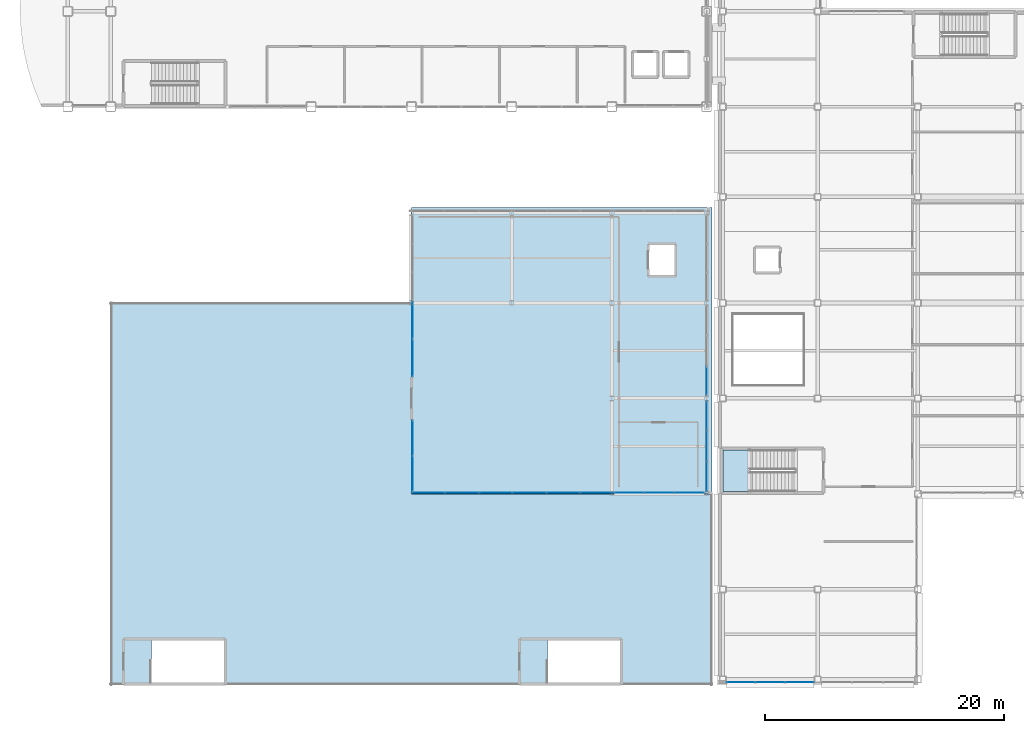
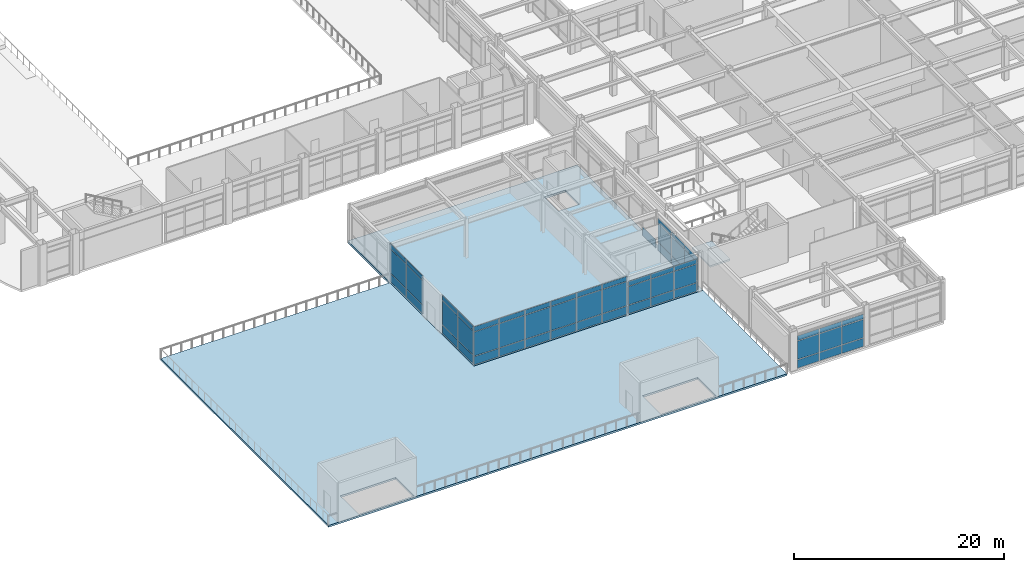
# One storey, part 114 of 154: 58 plates, 3 slabs, 8 elements without a shape of their own.
"""IFC4 building model written with IfcOpenShell, lengths in metres."""

from ifc_helpers import new_model, si_unit, direction, frame, origin, origin_2d, place, context, subcontext, project, spatial, polyline, rectangle, outline, extrude, material, layer, layer_set, type_object, element, aggregate, save


model = new_model("IFC4")

# Units and contexts
model_context = context("Model", 3, precision=1e-05, world=origin(), true_north=direction((0.0, 1.0)))
body_context = subcontext(model_context, "Body", "Model", "MODEL_VIEW")
ifc_project = project(units=[si_unit("LENGTHUNIT", "METRE"), si_unit("AREAUNIT", "SQUARE_METRE"), si_unit("VOLUMEUNIT", "CUBIC_METRE"), si_unit("PLANEANGLEUNIT", "RADIAN"), si_unit("MASSUNIT", "GRAM", prefix="KILO")], contexts=[model_context])

# Site, building, storey
site_placement = place(None, origin())
site = spatial("IfcSite", under=ifc_project, at=site_placement, CompositionType="ELEMENT")
building_placement = place(site_placement, origin())
building = spatial("IfcBuilding", under=site, at=building_placement, Name="Kazehara Bluff Congress Hotel", CompositionType="ELEMENT")
storey_placement = place(building_placement, frame((0.0, 0.0, 10.199951171875)))
storey = spatial("IfcBuildingStorey", under=building, at=storey_placement, Name="L02", CompositionType="ELEMENT", Elevation=10.199951171875)

# Curtain wall, plates
ifc_material_1 = material(Name="Anodised aluminium", Category="aluminium")
ifc_layer_1 = layer(ifc_material_1, 0.159912109375)
ifc_layer_set_1 = layer_set([ifc_layer_1], Name="Anodised aluminium")
curtain_wall_type_1 = type_object("IfcCurtainWallType", Name="TP-CW-22", PredefinedType="NOTDEFINED", material=ifc_layer_set_1)
curtain_wall_1_placement = place(storey_placement, origin())
curtain_wall_1 = element("IfcCurtainWall", 1, at=curtain_wall_1_placement, inside=storey, type_object=curtain_wall_type_1, Name="L02 curtain wall CW-22 CW-V2-L02-X5835-1618", PredefinedType="NOTDEFINED")
ifc_material_2 = material(Name="Insulated low-E double glazing", Category="glass")
ifc_layer_2 = layer(ifc_material_2, 0.028076171875)
ifc_layer_set_2 = layer_set([ifc_layer_2], Name="Insulated low-E double glazing")
plate_type_1 = type_object("IfcPlateType", Name="TP-CWP-01", PredefinedType="CURTAIN_PANEL", material=ifc_layer_set_2)
plate_1_placement = place(storey_placement, frame((58.35009765625, 17.46630859375, 0.06494140625), z_axis=(0.0, 0.0, 1.0), x_axis=(0.0, 1.0, 0.0)))
plate_1 = element("IfcPlate", 2, at=plate_1_placement, type_object=plate_type_1, Name="CW-22 panel 1.1", PredefinedType="CURTAIN_PANEL", context=body_context, shape_type="SweptSolid", body=[
    extrude(rectangle(XDim=2.452392578125, YDim=0.028076171875, at=origin_2d()), origin(), (0.0, 0.0, 1.0), 0.952392578125),
])
plate_2_placement = place(storey_placement, frame((58.35009765625, 17.46630859375, 1.08251953125), z_axis=(0.0, 0.0, 1.0), x_axis=(0.0, 1.0, 0.0)))
plate_2 = element("IfcPlate", 3, at=plate_2_placement, type_object=plate_type_1, Name="CW-22 panel 1.2", PredefinedType="CURTAIN_PANEL", context=body_context, shape_type="SweptSolid", body=[
    extrude(rectangle(XDim=2.452392578125, YDim=0.028076171875, at=origin_2d()), origin(), (0.0, 0.0, 1.0), 2.1201171875),
])
plate_3_placement = place(storey_placement, frame((58.35009765625, 17.46630859375, 3.267578125), z_axis=(0.0, 0.0, 1.0), x_axis=(0.0, 1.0, 0.0)))
plate_3 = element("IfcPlate", 4, at=plate_3_placement, type_object=plate_type_1, Name="CW-22 panel 1.3", PredefinedType="CURTAIN_PANEL", context=body_context, shape_type="SweptSolid", body=[
    extrude(rectangle(XDim=2.452392578125, YDim=0.028076171875, at=origin_2d()), origin(), (0.0, 0.0, 1.0), 0.552490234375),
])
plate_4_placement = place(storey_placement, frame((58.35009765625, 20.0, 0.06494140625), z_axis=(0.0, 0.0, 1.0), x_axis=(0.0, 1.0, 0.0)))
plate_4 = element("IfcPlate", 5, at=plate_4_placement, type_object=plate_type_1, Name="CW-22 panel 2.1", PredefinedType="CURTAIN_PANEL", context=body_context, shape_type="SweptSolid", body=[
    extrude(rectangle(XDim=2.485107421875, YDim=0.028076171875, at=origin_2d()), origin(), (0.0, 0.0, 1.0), 0.952392578125),
])
plate_5_placement = place(storey_placement, frame((58.35009765625, 20.0, 1.08251953125), z_axis=(0.0, 0.0, 1.0), x_axis=(0.0, 1.0, 0.0)))
plate_5 = element("IfcPlate", 6, at=plate_5_placement, type_object=plate_type_1, Name="CW-22 panel 2.2", PredefinedType="CURTAIN_PANEL", context=body_context, shape_type="SweptSolid", body=[
    extrude(rectangle(XDim=2.485107421875, YDim=0.028076171875, at=origin_2d()), origin(), (0.0, 0.0, 1.0), 2.1201171875),
])
plate_6_placement = place(storey_placement, frame((58.35009765625, 20.0, 3.267578125), z_axis=(0.0, 0.0, 1.0), x_axis=(0.0, 1.0, 0.0)))
plate_6 = element("IfcPlate", 7, at=plate_6_placement, type_object=plate_type_1, Name="CW-22 panel 2.3", PredefinedType="CURTAIN_PANEL", context=body_context, shape_type="SweptSolid", body=[
    extrude(rectangle(XDim=2.485107421875, YDim=0.028076171875, at=origin_2d()), origin(), (0.0, 0.0, 1.0), 0.552490234375),
])
plate_7_placement = place(storey_placement, frame((58.35009765625, 22.53369140625, 0.06494140625), z_axis=(0.0, 0.0, 1.0), x_axis=(0.0, 1.0, 0.0)))
plate_7 = element("IfcPlate", 8, at=plate_7_placement, type_object=plate_type_1, Name="CW-22 panel 3.1", PredefinedType="CURTAIN_PANEL", context=body_context, shape_type="SweptSolid", body=[
    extrude(rectangle(XDim=2.452392578125, YDim=0.028076171875, at=origin_2d()), origin(), (0.0, 0.0, 1.0), 0.952392578125),
])
plate_8_placement = place(storey_placement, frame((58.35009765625, 22.53369140625, 1.08251953125), z_axis=(0.0, 0.0, 1.0), x_axis=(0.0, 1.0, 0.0)))
plate_8 = element("IfcPlate", 9, at=plate_8_placement, type_object=plate_type_1, Name="CW-22 panel 3.2", PredefinedType="CURTAIN_PANEL", context=body_context, shape_type="SweptSolid", body=[
    extrude(rectangle(XDim=2.452392578125, YDim=0.028076171875, at=origin_2d()), origin(), (0.0, 0.0, 1.0), 2.1201171875),
])
plate_9_placement = place(storey_placement, frame((58.35009765625, 22.53369140625, 3.267578125), z_axis=(0.0, 0.0, 1.0), x_axis=(0.0, 1.0, 0.0)))
plate_9 = element("IfcPlate", 10, at=plate_9_placement, type_object=plate_type_1, Name="CW-22 panel 3.3", PredefinedType="CURTAIN_PANEL", context=body_context, shape_type="SweptSolid", body=[
    extrude(rectangle(XDim=2.452392578125, YDim=0.028076171875, at=origin_2d()), origin(), (0.0, 0.0, 1.0), 0.552490234375),
])
aggregate(curtain_wall_1, [plate_1, plate_2, plate_3, plate_4, plate_5, plate_6, plate_7, plate_8, plate_9])

# Curtain wall, plate
curtain_wall_2_placement = place(storey_placement, origin())
curtain_wall_2 = element("IfcCurtainWall", 11, at=curtain_wall_2_placement, inside=storey, type_object=curtain_wall_type_1, Name="L02 curtain wall CW-22 CW-V2-L02-X5835-2418", PredefinedType="NOTDEFINED")
plate_10_placement = place(storey_placement, frame((58.35009765625, 25.46630859375, 0.06494140625), z_axis=(0.0, 0.0, 1.0), x_axis=(0.0, 1.0, 0.0)))
plate_10 = element("IfcPlate", 12, at=plate_10_placement, type_object=plate_type_1, Name="CW-22 panel 1.1", PredefinedType="CURTAIN_PANEL", context=body_context, shape_type="SweptSolid", body=[
    extrude(rectangle(XDim=2.452392578125, YDim=0.028076171875, at=origin_2d()), origin(), (0.0, 0.0, 1.0), 0.952392578125),
])
aggregate(curtain_wall_2, [plate_10])

# Curtain wall, plates
ifc_material_3 = material(Name="Anodised aluminium", Category="aluminium")
ifc_layer_3 = layer(ifc_material_3, 0.159912109375)
ifc_layer_set_3 = layer_set([ifc_layer_3], Name="Anodised aluminium")
curtain_wall_type_2 = type_object("IfcCurtainWallType", Name="TP-CW-129", PredefinedType="NOTDEFINED", material=ifc_layer_set_3)
curtain_wall_3_placement = place(storey_placement, origin())
curtain_wall_3 = element("IfcCurtainWall", 13, at=curtain_wall_3_placement, inside=storey, type_object=curtain_wall_type_2, Name="L02 curtain wall CW-129 CW-ENC-V2-L02-5438-1610", PredefinedType="NOTDEFINED")
plate_11_placement = place(storey_placement, frame((56.89208984375, 16.10009765625, 0.06494140625), z_axis=(0.0, 0.0, 1.0), x_axis=(-1.0, 0.0, 0.0)))
plate_11 = element("IfcPlate", 14, at=plate_11_placement, type_object=plate_type_1, Name="CW-129 panel 1.1", PredefinedType="CURTAIN_PANEL", context=body_context, shape_type="SweptSolid", body=[
    extrude(rectangle(XDim=2.435791015625, YDim=0.028076171875, at=origin_2d()), origin(), (0.0, 0.0, 1.0), 0.952392578125),
])
plate_12_placement = place(storey_placement, frame((56.89208984375, 16.10009765625, 1.08251953125), z_axis=(0.0, 0.0, 1.0), x_axis=(-1.0, 0.0, 0.0)))
plate_12 = element("IfcPlate", 15, at=plate_12_placement, type_object=plate_type_1, Name="CW-129 panel 1.2", PredefinedType="CURTAIN_PANEL", context=body_context, shape_type="SweptSolid", body=[
    extrude(rectangle(XDim=2.435791015625, YDim=0.028076171875, at=origin_2d()), origin(), (0.0, 0.0, 1.0), 2.1201171875),
])
plate_13_placement = place(storey_placement, frame((56.89208984375, 16.10009765625, 3.267578125), z_axis=(0.0, 0.0, 1.0), x_axis=(-1.0, 0.0, 0.0)))
plate_13 = element("IfcPlate", 16, at=plate_13_placement, type_object=plate_type_1, Name="CW-129 panel 1.3", PredefinedType="CURTAIN_PANEL", context=body_context, shape_type="SweptSolid", body=[
    extrude(rectangle(XDim=2.435791015625, YDim=0.028076171875, at=origin_2d()), origin(), (0.0, 0.0, 1.0), 0.552490234375),
])
plate_14_placement = place(storey_placement, frame((54.375, 16.10009765625, 0.06494140625), z_axis=(0.0, 0.0, 1.0), x_axis=(-1.0, 0.0, 0.0)))
plate_14 = element("IfcPlate", 17, at=plate_14_placement, type_object=plate_type_1, Name="CW-129 panel 2.1", PredefinedType="CURTAIN_PANEL", context=body_context, shape_type="SweptSolid", body=[
    extrude(rectangle(XDim=2.46826171875, YDim=0.028076171875, at=origin_2d()), origin(), (0.0, 0.0, 1.0), 0.952392578125),
])
plate_15_placement = place(storey_placement, frame((54.375, 16.10009765625, 1.08251953125), z_axis=(0.0, 0.0, 1.0), x_axis=(-1.0, 0.0, 0.0)))
plate_15 = element("IfcPlate", 18, at=plate_15_placement, type_object=plate_type_1, Name="CW-129 panel 2.2", PredefinedType="CURTAIN_PANEL", context=body_context, shape_type="SweptSolid", body=[
    extrude(rectangle(XDim=2.46826171875, YDim=0.028076171875, at=origin_2d()), origin(), (0.0, 0.0, 1.0), 2.1201171875),
])
plate_16_placement = place(storey_placement, frame((54.375, 16.10009765625, 3.267578125), z_axis=(0.0, 0.0, 1.0), x_axis=(-1.0, 0.0, 0.0)))
plate_16 = element("IfcPlate", 19, at=plate_16_placement, type_object=plate_type_1, Name="CW-129 panel 2.3", PredefinedType="CURTAIN_PANEL", context=body_context, shape_type="SweptSolid", body=[
    extrude(rectangle(XDim=2.46826171875, YDim=0.028076171875, at=origin_2d()), origin(), (0.0, 0.0, 1.0), 0.552490234375),
])
plate_17_placement = place(storey_placement, frame((51.85791015625, 16.10009765625, 0.06494140625), z_axis=(0.0, 0.0, 1.0), x_axis=(-1.0, 0.0, 0.0)))
plate_17 = element("IfcPlate", 20, at=plate_17_placement, type_object=plate_type_1, Name="CW-129 panel 3.1", PredefinedType="CURTAIN_PANEL", context=body_context, shape_type="SweptSolid", body=[
    extrude(rectangle(XDim=2.435791015625, YDim=0.028076171875, at=origin_2d()), origin(), (0.0, 0.0, 1.0), 0.952392578125),
])
plate_18_placement = place(storey_placement, frame((51.85791015625, 16.10009765625, 1.08251953125), z_axis=(0.0, 0.0, 1.0), x_axis=(-1.0, 0.0, 0.0)))
plate_18 = element("IfcPlate", 21, at=plate_18_placement, type_object=plate_type_1, Name="CW-129 panel 3.2", PredefinedType="CURTAIN_PANEL", context=body_context, shape_type="SweptSolid", body=[
    extrude(rectangle(XDim=2.435791015625, YDim=0.028076171875, at=origin_2d()), origin(), (0.0, 0.0, 1.0), 2.1201171875),
])
plate_19_placement = place(storey_placement, frame((51.85791015625, 16.10009765625, 3.267578125), z_axis=(0.0, 0.0, 1.0), x_axis=(-1.0, 0.0, 0.0)))
plate_19 = element("IfcPlate", 22, at=plate_19_placement, type_object=plate_type_1, Name="CW-129 panel 3.3", PredefinedType="CURTAIN_PANEL", context=body_context, shape_type="SweptSolid", body=[
    extrude(rectangle(XDim=2.435791015625, YDim=0.028076171875, at=origin_2d()), origin(), (0.0, 0.0, 1.0), 0.552490234375),
])
aggregate(curtain_wall_3, [plate_11, plate_12, plate_13, plate_14, plate_15, plate_16, plate_17, plate_18, plate_19])

ifc_material_4 = material(Name="Anodised aluminium", Category="aluminium")
ifc_layer_4 = layer(ifc_material_4, 0.159912109375)
ifc_layer_set_4 = layer_set([ifc_layer_4], Name="Anodised aluminium")
curtain_wall_type_3 = type_object("IfcCurtainWallType", Name="TP-CW-34", PredefinedType="NOTDEFINED", material=ifc_layer_set_4)
curtain_wall_4_placement = place(storey_placement, origin())
curtain_wall_4 = element("IfcCurtainWall", 23, at=curtain_wall_4_placement, inside=storey, type_object=curtain_wall_type_3, Name="L02 curtain wall CW-34 CW-ENC-V4-L02-6368-22", PredefinedType="NOTDEFINED")
plate_20_placement = place(storey_placement, frame((66.12548828125, 0.219970703125, 0.06494140625), z_axis=(0.0, 0.0, 1.0), x_axis=(-1.0, 0.0, 0.0)))
plate_20 = element("IfcPlate", 24, at=plate_20_placement, type_object=plate_type_1, Name="CW-34 panel 1.1", PredefinedType="CURTAIN_PANEL", context=body_context, shape_type="SweptSolid", body=[
    extrude(rectangle(XDim=2.369140625, YDim=0.028076171875, at=origin_2d()), origin(), (0.0, 0.0, 1.0), 0.952392578125),
])
plate_21_placement = place(storey_placement, frame((66.12548828125, 0.219970703125, 1.08251953125), z_axis=(0.0, 0.0, 1.0), x_axis=(-1.0, 0.0, 0.0)))
plate_21 = element("IfcPlate", 25, at=plate_21_placement, type_object=plate_type_1, Name="CW-34 panel 1.2", PredefinedType="CURTAIN_PANEL", context=body_context, shape_type="SweptSolid", body=[
    extrude(rectangle(XDim=2.369140625, YDim=0.028076171875, at=origin_2d()), origin(), (0.0, 0.0, 1.0), 2.1201171875),
])
plate_22_placement = place(storey_placement, frame((66.12548828125, 0.219970703125, 3.267578125), z_axis=(0.0, 0.0, 1.0), x_axis=(-1.0, 0.0, 0.0)))
plate_22 = element("IfcPlate", 26, at=plate_22_placement, type_object=plate_type_1, Name="CW-34 panel 1.3", PredefinedType="CURTAIN_PANEL", context=body_context, shape_type="SweptSolid", body=[
    extrude(rectangle(XDim=2.369140625, YDim=0.028076171875, at=origin_2d()), origin(), (0.0, 0.0, 1.0), 0.552490234375),
])
plate_23_placement = place(storey_placement, frame((63.675048828125, 0.219970703125, 0.06494140625), z_axis=(0.0, 0.0, 1.0), x_axis=(-1.0, 0.0, 0.0)))
plate_23 = element("IfcPlate", 27, at=plate_23_placement, type_object=plate_type_1, Name="CW-34 panel 2.1", PredefinedType="CURTAIN_PANEL", context=body_context, shape_type="SweptSolid", body=[
    extrude(rectangle(XDim=2.401611328125, YDim=0.028076171875, at=origin_2d()), origin(), (0.0, 0.0, 1.0), 0.952392578125),
])
plate_24_placement = place(storey_placement, frame((63.675048828125, 0.219970703125, 1.08251953125), z_axis=(0.0, 0.0, 1.0), x_axis=(-1.0, 0.0, 0.0)))
plate_24 = element("IfcPlate", 28, at=plate_24_placement, type_object=plate_type_1, Name="CW-34 panel 2.2", PredefinedType="CURTAIN_PANEL", context=body_context, shape_type="SweptSolid", body=[
    extrude(rectangle(XDim=2.401611328125, YDim=0.028076171875, at=origin_2d()), origin(), (0.0, 0.0, 1.0), 2.1201171875),
])
plate_25_placement = place(storey_placement, frame((63.675048828125, 0.219970703125, 3.267578125), z_axis=(0.0, 0.0, 1.0), x_axis=(-1.0, 0.0, 0.0)))
plate_25 = element("IfcPlate", 29, at=plate_25_placement, type_object=plate_type_1, Name="CW-34 panel 2.3", PredefinedType="CURTAIN_PANEL", context=body_context, shape_type="SweptSolid", body=[
    extrude(rectangle(XDim=2.401611328125, YDim=0.028076171875, at=origin_2d()), origin(), (0.0, 0.0, 1.0), 0.552490234375),
])
plate_26_placement = place(storey_placement, frame((61.224609375, 0.219970703125, 0.06494140625), z_axis=(0.0, 0.0, 1.0), x_axis=(-1.0, 0.0, 0.0)))
plate_26 = element("IfcPlate", 30, at=plate_26_placement, type_object=plate_type_1, Name="CW-34 panel 3.1", PredefinedType="CURTAIN_PANEL", context=body_context, shape_type="SweptSolid", body=[
    extrude(rectangle(XDim=2.369140625, YDim=0.028076171875, at=origin_2d()), origin(), (0.0, 0.0, 1.0), 0.952392578125),
])
plate_27_placement = place(storey_placement, frame((61.224609375, 0.219970703125, 1.08251953125), z_axis=(0.0, 0.0, 1.0), x_axis=(-1.0, 0.0, 0.0)))
plate_27 = element("IfcPlate", 31, at=plate_27_placement, type_object=plate_type_1, Name="CW-34 panel 3.2", PredefinedType="CURTAIN_PANEL", context=body_context, shape_type="SweptSolid", body=[
    extrude(rectangle(XDim=2.369140625, YDim=0.028076171875, at=origin_2d()), origin(), (0.0, 0.0, 1.0), 2.1201171875),
])
plate_28_placement = place(storey_placement, frame((61.224609375, 0.219970703125, 3.267578125), z_axis=(0.0, 0.0, 1.0), x_axis=(-1.0, 0.0, 0.0)))
plate_28 = element("IfcPlate", 32, at=plate_28_placement, type_object=plate_type_1, Name="CW-34 panel 3.3", PredefinedType="CURTAIN_PANEL", context=body_context, shape_type="SweptSolid", body=[
    extrude(rectangle(XDim=2.369140625, YDim=0.028076171875, at=origin_2d()), origin(), (0.0, 0.0, 1.0), 0.552490234375),
])
aggregate(curtain_wall_4, [plate_20, plate_21, plate_22, plate_23, plate_24, plate_25, plate_26, plate_27, plate_28])

ifc_material_5 = material(Name="Anodised aluminium", Category="aluminium")
ifc_layer_5 = layer(ifc_material_5, 0.159912109375)
ifc_layer_set_5 = layer_set([ifc_layer_5], Name="Anodised aluminium")
curtain_wall_type_4 = type_object("IfcCurtainWallType", Name="TP-CW-128", PredefinedType="NOTDEFINED", material=ifc_layer_set_5)
curtain_wall_5_placement = place(storey_placement, origin())
curtain_wall_5 = element("IfcCurtainWall", 33, at=curtain_wall_5_placement, inside=storey, type_object=curtain_wall_type_4, Name="L02 curtain wall CW-128 CW-ENC-V2-L02-4209-1610", PredefinedType="NOTDEFINED")
ifc_material_6 = material(Name="Insulated low-E double glazing", Category="glass")
ifc_layer_6 = layer(ifc_material_6, 0.031982421875)
ifc_layer_set_6 = layer_set([ifc_layer_6], Name="Insulated low-E double glazing")
plate_type_2 = type_object("IfcPlateType", Name="TP-CWP-02", PredefinedType="CURTAIN_PANEL", material=ifc_layer_set_6)
plate_29_placement = place(storey_placement, frame((49.142822265625, 16.10009765625, 0.06494140625), z_axis=(0.0, 0.0, 1.0), x_axis=(-1.0, 0.0, 0.0)))
plate_29 = element("IfcPlate", 34, at=plate_29_placement, type_object=plate_type_2, Name="CW-128 panel 1.1", PredefinedType="CURTAIN_PANEL", context=body_context, shape_type="SweptSolid", body=[
    extrude(rectangle(XDim=2.72412109375, YDim=0.031982421875, at=origin_2d()), origin(), (0.0, 0.0, 1.0), 0.952392578125),
])
plate_30_placement = place(storey_placement, frame((49.142822265625, 16.10009765625, 1.08251953125), z_axis=(0.0, 0.0, 1.0), x_axis=(-1.0, 0.0, 0.0)))
plate_30 = element("IfcPlate", 35, at=plate_30_placement, type_object=plate_type_2, Name="CW-128 panel 1.2", PredefinedType="CURTAIN_PANEL", context=body_context, shape_type="SweptSolid", body=[
    extrude(rectangle(XDim=2.72412109375, YDim=0.031982421875, at=origin_2d()), origin(), (0.0, 0.0, 1.0), 2.780029296875),
])
plate_31_placement = place(storey_placement, frame((49.142822265625, 16.10009765625, 3.927734375), z_axis=(0.0, 0.0, 1.0), x_axis=(-1.0, 0.0, 0.0)))
plate_31 = element("IfcPlate", 36, at=plate_31_placement, type_object=plate_type_2, Name="CW-128 panel 1.3", PredefinedType="CURTAIN_PANEL", context=body_context, shape_type="SweptSolid", body=[
    extrude(rectangle(XDim=2.72412109375, YDim=0.031982421875, at=origin_2d()), origin(), (0.0, 0.0, 1.0), 0.552490234375),
])
plate_32_placement = place(storey_placement, frame((46.331298828125, 16.10009765625, 0.06494140625), z_axis=(0.0, 0.0, 1.0), x_axis=(-1.0, 0.0, 0.0)))
plate_32 = element("IfcPlate", 37, at=plate_32_placement, type_object=plate_type_2, Name="CW-128 panel 2.1", PredefinedType="CURTAIN_PANEL", context=body_context, shape_type="SweptSolid", body=[
    extrude(rectangle(XDim=2.75927734375, YDim=0.031982421875, at=origin_2d()), origin(), (0.0, 0.0, 1.0), 0.952392578125),
])
plate_33_placement = place(storey_placement, frame((46.331298828125, 16.10009765625, 1.08251953125), z_axis=(0.0, 0.0, 1.0), x_axis=(-1.0, 0.0, 0.0)))
plate_33 = element("IfcPlate", 38, at=plate_33_placement, type_object=plate_type_2, Name="CW-128 panel 2.2", PredefinedType="CURTAIN_PANEL", context=body_context, shape_type="SweptSolid", body=[
    extrude(rectangle(XDim=2.75927734375, YDim=0.031982421875, at=origin_2d()), origin(), (0.0, 0.0, 1.0), 2.780029296875),
])
plate_34_placement = place(storey_placement, frame((46.331298828125, 16.10009765625, 3.927734375), z_axis=(0.0, 0.0, 1.0), x_axis=(-1.0, 0.0, 0.0)))
plate_34 = element("IfcPlate", 39, at=plate_34_placement, type_object=plate_type_2, Name="CW-128 panel 2.3", PredefinedType="CURTAIN_PANEL", context=body_context, shape_type="SweptSolid", body=[
    extrude(rectangle(XDim=2.75927734375, YDim=0.031982421875, at=origin_2d()), origin(), (0.0, 0.0, 1.0), 0.552490234375),
])
plate_35_placement = place(storey_placement, frame((43.502197265625, 16.10009765625, 0.06494140625), z_axis=(0.0, 0.0, 1.0), x_axis=(-1.0, 0.0, 0.0)))
plate_35 = element("IfcPlate", 40, at=plate_35_placement, type_object=plate_type_2, Name="CW-128 panel 3.1", PredefinedType="CURTAIN_PANEL", context=body_context, shape_type="SweptSolid", body=[
    extrude(rectangle(XDim=2.75927734375, YDim=0.031982421875, at=origin_2d()), origin(), (0.0, 0.0, 1.0), 0.952392578125),
])
plate_36_placement = place(storey_placement, frame((43.502197265625, 16.10009765625, 1.08251953125), z_axis=(0.0, 0.0, 1.0), x_axis=(-1.0, 0.0, 0.0)))
plate_36 = element("IfcPlate", 41, at=plate_36_placement, type_object=plate_type_2, Name="CW-128 panel 3.2", PredefinedType="CURTAIN_PANEL", context=body_context, shape_type="SweptSolid", body=[
    extrude(rectangle(XDim=2.75927734375, YDim=0.031982421875, at=origin_2d()), origin(), (0.0, 0.0, 1.0), 2.780029296875),
])
plate_37_placement = place(storey_placement, frame((43.502197265625, 16.10009765625, 3.927734375), z_axis=(0.0, 0.0, 1.0), x_axis=(-1.0, 0.0, 0.0)))
plate_37 = element("IfcPlate", 42, at=plate_37_placement, type_object=plate_type_2, Name="CW-128 panel 3.3", PredefinedType="CURTAIN_PANEL", context=body_context, shape_type="SweptSolid", body=[
    extrude(rectangle(XDim=2.75927734375, YDim=0.031982421875, at=origin_2d()), origin(), (0.0, 0.0, 1.0), 0.552490234375),
])
plate_38_placement = place(storey_placement, frame((40.6728515625, 16.10009765625, 0.06494140625), z_axis=(0.0, 0.0, 1.0), x_axis=(-1.0, 0.0, 0.0)))
plate_38 = element("IfcPlate", 43, at=plate_38_placement, type_object=plate_type_2, Name="CW-128 panel 4.1", PredefinedType="CURTAIN_PANEL", context=body_context, shape_type="SweptSolid", body=[
    extrude(rectangle(XDim=2.75927734375, YDim=0.031982421875, at=origin_2d()), origin(), (0.0, 0.0, 1.0), 0.952392578125),
])
plate_39_placement = place(storey_placement, frame((40.6728515625, 16.10009765625, 1.08251953125), z_axis=(0.0, 0.0, 1.0), x_axis=(-1.0, 0.0, 0.0)))
plate_39 = element("IfcPlate", 44, at=plate_39_placement, type_object=plate_type_2, Name="CW-128 panel 4.2", PredefinedType="CURTAIN_PANEL", context=body_context, shape_type="SweptSolid", body=[
    extrude(rectangle(XDim=2.75927734375, YDim=0.031982421875, at=origin_2d()), origin(), (0.0, 0.0, 1.0), 2.780029296875),
])
plate_40_placement = place(storey_placement, frame((40.6728515625, 16.10009765625, 3.927734375), z_axis=(0.0, 0.0, 1.0), x_axis=(-1.0, 0.0, 0.0)))
plate_40 = element("IfcPlate", 45, at=plate_40_placement, type_object=plate_type_2, Name="CW-128 panel 4.3", PredefinedType="CURTAIN_PANEL", context=body_context, shape_type="SweptSolid", body=[
    extrude(rectangle(XDim=2.75927734375, YDim=0.031982421875, at=origin_2d()), origin(), (0.0, 0.0, 1.0), 0.552490234375),
])
plate_41_placement = place(storey_placement, frame((37.84375, 16.10009765625, 0.06494140625), z_axis=(0.0, 0.0, 1.0), x_axis=(-1.0, 0.0, 0.0)))
plate_41 = element("IfcPlate", 46, at=plate_41_placement, type_object=plate_type_2, Name="CW-128 panel 5.1", PredefinedType="CURTAIN_PANEL", context=body_context, shape_type="SweptSolid", body=[
    extrude(rectangle(XDim=2.75927734375, YDim=0.031982421875, at=origin_2d()), origin(), (0.0, 0.0, 1.0), 0.952392578125),
])
plate_42_placement = place(storey_placement, frame((37.84375, 16.10009765625, 1.08251953125), z_axis=(0.0, 0.0, 1.0), x_axis=(-1.0, 0.0, 0.0)))
plate_42 = element("IfcPlate", 47, at=plate_42_placement, type_object=plate_type_2, Name="CW-128 panel 5.2", PredefinedType="CURTAIN_PANEL", context=body_context, shape_type="SweptSolid", body=[
    extrude(rectangle(XDim=2.75927734375, YDim=0.031982421875, at=origin_2d()), origin(), (0.0, 0.0, 1.0), 2.780029296875),
])
plate_43_placement = place(storey_placement, frame((37.84375, 16.10009765625, 3.927734375), z_axis=(0.0, 0.0, 1.0), x_axis=(-1.0, 0.0, 0.0)))
plate_43 = element("IfcPlate", 48, at=plate_43_placement, type_object=plate_type_2, Name="CW-128 panel 5.3", PredefinedType="CURTAIN_PANEL", context=body_context, shape_type="SweptSolid", body=[
    extrude(rectangle(XDim=2.75927734375, YDim=0.031982421875, at=origin_2d()), origin(), (0.0, 0.0, 1.0), 0.552490234375),
])
plate_44_placement = place(storey_placement, frame((35.031982421875, 16.10009765625, 0.06494140625), z_axis=(0.0, 0.0, 1.0), x_axis=(-1.0, 0.0, 0.0)))
plate_44 = element("IfcPlate", 49, at=plate_44_placement, type_object=plate_type_2, Name="CW-128 panel 6.1", PredefinedType="CURTAIN_PANEL", context=body_context, shape_type="SweptSolid", body=[
    extrude(rectangle(XDim=2.72412109375, YDim=0.031982421875, at=origin_2d()), origin(), (0.0, 0.0, 1.0), 0.952392578125),
])
plate_45_placement = place(storey_placement, frame((35.031982421875, 16.10009765625, 1.08251953125), z_axis=(0.0, 0.0, 1.0), x_axis=(-1.0, 0.0, 0.0)))
plate_45 = element("IfcPlate", 50, at=plate_45_placement, type_object=plate_type_2, Name="CW-128 panel 6.2", PredefinedType="CURTAIN_PANEL", context=body_context, shape_type="SweptSolid", body=[
    extrude(rectangle(XDim=2.72412109375, YDim=0.031982421875, at=origin_2d()), origin(), (0.0, 0.0, 1.0), 2.780029296875),
])
plate_46_placement = place(storey_placement, frame((35.031982421875, 16.10009765625, 3.927734375), z_axis=(0.0, 0.0, 1.0), x_axis=(-1.0, 0.0, 0.0)))
plate_46 = element("IfcPlate", 51, at=plate_46_placement, type_object=plate_type_2, Name="CW-128 panel 6.3", PredefinedType="CURTAIN_PANEL", context=body_context, shape_type="SweptSolid", body=[
    extrude(rectangle(XDim=2.72412109375, YDim=0.031982421875, at=origin_2d()), origin(), (0.0, 0.0, 1.0), 0.552490234375),
])
aggregate(curtain_wall_5, [plate_29, plate_30, plate_31, plate_32, plate_33, plate_34, plate_35, plate_36, plate_37, plate_38, plate_39, plate_40, plate_41, plate_42, plate_43, plate_44, plate_45, plate_46])

ifc_material_7 = material(Name="Anodised aluminium", Category="aluminium")
ifc_layer_7 = layer(ifc_material_7, 0.159912109375)
ifc_layer_set_7 = layer_set([ifc_layer_7], Name="Anodised aluminium")
curtain_wall_type_5 = type_object("IfcCurtainWallType", Name="TP-CW-132", PredefinedType="NOTDEFINED", material=ifc_layer_set_7)
curtain_wall_6_placement = place(storey_placement, origin())
curtain_wall_6 = element("IfcCurtainWall", 52, at=curtain_wall_6_placement, inside=storey, type_object=curtain_wall_type_5, Name="L02 curtain wall CW-132 CW-ENC-V2-L02-3370-1920", PredefinedType="NOTDEFINED")
plate_47_placement = place(storey_placement, frame((33.699951171875, 17.7099609375, 0.06005859375), z_axis=(0.0, 0.0, 1.0), x_axis=(0.0, 1.0, 0.0)))
plate_47 = element("IfcPlate", 53, at=plate_47_placement, type_object=plate_type_2, Name="CW-132 panel 1.1", PredefinedType="CURTAIN_PANEL", context=body_context, shape_type="SweptSolid", body=[
    extrude(rectangle(XDim=2.89990234375, YDim=0.031982421875, at=origin_2d()), origin(), (0.0, 0.0, 1.0), 0.9599609375),
])
plate_48_placement = place(storey_placement, frame((33.699951171875, 17.7099609375, 1.080078125), z_axis=(0.0, 0.0, 1.0), x_axis=(0.0, 1.0, 0.0)))
plate_48 = element("IfcPlate", 54, at=plate_48_placement, type_object=plate_type_2, Name="CW-132 panel 1.2", PredefinedType="CURTAIN_PANEL", context=body_context, shape_type="SweptSolid", body=[
    extrude(rectangle(XDim=2.89990234375, YDim=0.031982421875, at=origin_2d()), origin(), (0.0, 0.0, 1.0), 2.784912109375),
])
plate_49_placement = place(storey_placement, frame((33.699951171875, 17.7099609375, 3.925048828125), z_axis=(0.0, 0.0, 1.0), x_axis=(0.0, 1.0, 0.0)))
plate_49 = element("IfcPlate", 55, at=plate_49_placement, type_object=plate_type_2, Name="CW-132 panel 1.3", PredefinedType="CURTAIN_PANEL", context=body_context, shape_type="SweptSolid", body=[
    extrude(rectangle(XDim=2.89990234375, YDim=0.031982421875, at=origin_2d()), origin(), (0.0, 0.0, 1.0), 0.56005859375),
])
plate_50_placement = place(storey_placement, frame((33.699951171875, 20.679931640625, 0.06005859375), z_axis=(0.0, 0.0, 1.0), x_axis=(0.0, 1.0, 0.0)))
plate_50 = element("IfcPlate", 56, at=plate_50_placement, type_object=plate_type_2, Name="CW-132 panel 2.1", PredefinedType="CURTAIN_PANEL", context=body_context, shape_type="SweptSolid", body=[
    extrude(rectangle(XDim=2.89990234375, YDim=0.031982421875, at=origin_2d()), origin(), (0.0, 0.0, 1.0), 0.9599609375),
])
plate_51_placement = place(storey_placement, frame((33.699951171875, 20.679931640625, 1.080078125), z_axis=(0.0, 0.0, 1.0), x_axis=(0.0, 1.0, 0.0)))
plate_51 = element("IfcPlate", 57, at=plate_51_placement, type_object=plate_type_2, Name="CW-132 panel 2.2", PredefinedType="CURTAIN_PANEL", context=body_context, shape_type="SweptSolid", body=[
    extrude(rectangle(XDim=2.89990234375, YDim=0.031982421875, at=origin_2d()), origin(), (0.0, 0.0, 1.0), 2.784912109375),
])
plate_52_placement = place(storey_placement, frame((33.699951171875, 20.679931640625, 3.925048828125), z_axis=(0.0, 0.0, 1.0), x_axis=(0.0, 1.0, 0.0)))
plate_52 = element("IfcPlate", 58, at=plate_52_placement, type_object=plate_type_2, Name="CW-132 panel 2.3", PredefinedType="CURTAIN_PANEL", context=body_context, shape_type="SweptSolid", body=[
    extrude(rectangle(XDim=2.89990234375, YDim=0.031982421875, at=origin_2d()), origin(), (0.0, 0.0, 1.0), 0.56005859375),
])
aggregate(curtain_wall_6, [plate_47, plate_48, plate_49, plate_50, plate_51, plate_52])

ifc_material_8 = material(Name="Anodised aluminium", Category="aluminium")
ifc_layer_8 = layer(ifc_material_8, 0.159912109375)
ifc_layer_set_8 = layer_set([ifc_layer_8], Name="Anodised aluminium")
curtain_wall_type_6 = type_object("IfcCurtainWallType", Name="TP-CW-133", PredefinedType="NOTDEFINED", material=ifc_layer_set_8)
curtain_wall_7_placement = place(storey_placement, origin())
curtain_wall_7 = element("IfcCurtainWall", 59, at=curtain_wall_7_placement, inside=storey, type_object=curtain_wall_type_6, Name="L02 curtain wall CW-133 CW-ENC-V2-L02-3370-2899", PredefinedType="NOTDEFINED")
plate_53_placement = place(storey_placement, frame((33.699951171875, 27.4111328125, 0.06005859375), z_axis=(0.0, 0.0, 1.0), x_axis=(0.0, 1.0, 0.0)))
plate_53 = element("IfcPlate", 60, at=plate_53_placement, type_object=plate_type_2, Name="CW-133 panel 1.1", PredefinedType="CURTAIN_PANEL", context=body_context, shape_type="SweptSolid", body=[
    extrude(rectangle(XDim=3.08251953125, YDim=0.031982421875, at=origin_2d()), origin(), (0.0, 0.0, 1.0), 0.9599609375),
])
plate_54_placement = place(storey_placement, frame((33.699951171875, 27.4111328125, 1.080078125), z_axis=(0.0, 0.0, 1.0), x_axis=(0.0, 1.0, 0.0)))
plate_54 = element("IfcPlate", 61, at=plate_54_placement, type_object=plate_type_2, Name="CW-133 panel 1.2", PredefinedType="CURTAIN_PANEL", context=body_context, shape_type="SweptSolid", body=[
    extrude(rectangle(XDim=3.08251953125, YDim=0.031982421875, at=origin_2d()), origin(), (0.0, 0.0, 1.0), 2.784912109375),
])
plate_55_placement = place(storey_placement, frame((33.699951171875, 27.4111328125, 3.925048828125), z_axis=(0.0, 0.0, 1.0), x_axis=(0.0, 1.0, 0.0)))
plate_55 = element("IfcPlate", 62, at=plate_55_placement, type_object=plate_type_2, Name="CW-133 panel 1.3", PredefinedType="CURTAIN_PANEL", context=body_context, shape_type="SweptSolid", body=[
    extrude(rectangle(XDim=3.08251953125, YDim=0.031982421875, at=origin_2d()), origin(), (0.0, 0.0, 1.0), 0.56005859375),
])
plate_56_placement = place(storey_placement, frame((33.699951171875, 30.563720703125, 0.06005859375), z_axis=(0.0, 0.0, 1.0), x_axis=(0.0, 1.0, 0.0)))
plate_56 = element("IfcPlate", 63, at=plate_56_placement, type_object=plate_type_2, Name="CW-133 panel 2.1", PredefinedType="CURTAIN_PANEL", context=body_context, shape_type="SweptSolid", body=[
    extrude(rectangle(XDim=3.08251953125, YDim=0.031982421875, at=origin_2d()), origin(), (0.0, 0.0, 1.0), 0.9599609375),
])
plate_57_placement = place(storey_placement, frame((33.699951171875, 30.563720703125, 1.080078125), z_axis=(0.0, 0.0, 1.0), x_axis=(0.0, 1.0, 0.0)))
plate_57 = element("IfcPlate", 64, at=plate_57_placement, type_object=plate_type_2, Name="CW-133 panel 2.2", PredefinedType="CURTAIN_PANEL", context=body_context, shape_type="SweptSolid", body=[
    extrude(rectangle(XDim=3.08251953125, YDim=0.031982421875, at=origin_2d()), origin(), (0.0, 0.0, 1.0), 2.784912109375),
])
plate_58_placement = place(storey_placement, frame((33.699951171875, 30.563720703125, 3.925048828125), z_axis=(0.0, 0.0, 1.0), x_axis=(0.0, 1.0, 0.0)))
plate_58 = element("IfcPlate", 65, at=plate_58_placement, type_object=plate_type_2, Name="CW-133 panel 2.3", PredefinedType="CURTAIN_PANEL", context=body_context, shape_type="SweptSolid", body=[
    extrude(rectangle(XDim=3.08251953125, YDim=0.031982421875, at=origin_2d()), origin(), (0.0, 0.0, 1.0), 0.56005859375),
])
aggregate(curtain_wall_7, [plate_53, plate_54, plate_55, plate_56, plate_57, plate_58])

# Slabs
ifc_material_9 = material(Name="Concrete C36/45", Category="concrete")
ifc_layer_9 = layer(ifc_material_9, 0.25)
ifc_layer_set_9 = layer_set([ifc_layer_9], Name="Concrete C36/45")
slab_type_1 = type_object("IfcSlabType", Name="TP-SL-250", PredefinedType="FLOOR", material=ifc_layer_set_9)
slab_1_placement = place(storey_placement, frame((0.0, 0.0, -0.25)))
element("IfcSlab", 66, at=slab_1_placement, inside=storey, type_object=slab_type_1, Name="L02 V2 composite floor slab", PredefinedType="FLOOR", context=body_context, shape_type="SweptSolid", body=[
    extrude(outline(polyline([(33.60009765625, 16.0), (58.800048828125, 16.0), (58.800048828125, 40.0), (33.60009765625, 40.0), (33.60009765625, 16.0)]), holes=[polyline([(53.449951171875, 34.25), (55.75, 34.25), (55.75, 36.949951171875), (53.449951171875, 36.949951171875), (53.449951171875, 34.25)])]), origin(), (0.0, 0.0, 1.0), 0.25),
])
ifc_material_10 = material(Name="Concrete C36/45", Category="concrete")
ifc_layer_10 = layer(ifc_material_10, 0.219970703125)
ifc_layer_set_10 = layer_set([ifc_layer_10], Name="Concrete C36/45")
slab_type_2 = type_object("IfcSlabType", Name="TP-SL-TER", PredefinedType="FLOOR", material=ifc_layer_set_10)
slab_2_placement = place(storey_placement, frame((0.0, 0.0, -0.219970703125)))
element("IfcSlab", 67, at=slab_2_placement, inside=storey, type_object=slab_type_2, Name="Ballroom Planted Roof Garden", PredefinedType="FLOOR", context=body_context, shape_type="SweptSolid", body=[
    extrude(outline(polyline([(8.39990234375, 0.0), (58.800048828125, 0.0), (58.800048828125, 16.0), (33.60009765625, 16.0), (33.60009765625, 32.0), (8.39990234375, 32.0), (8.39990234375, 0.0)]), holes=[polyline([(11.824951171875, 0.199951171875), (17.89990234375, 0.199951171875), (17.89990234375, 3.699951171875), (11.824951171875, 3.699951171875), (11.824951171875, 0.199951171875)]), polyline([(45.02490234375, 0.199951171875), (51.10009765625, 0.199951171875), (51.10009765625, 3.699951171875), (45.02490234375, 3.699951171875), (45.02490234375, 0.199951171875)])]), origin(), (0.0, 0.0, 1.0), 0.219970703125),
])

# Stair, slab
ifc_material_11 = material(Name="Concrete C36/45", Category="concrete")
stair_type = type_object("IfcStairType", Name="TP-ST-T02", PredefinedType="HALF_TURN_STAIR", material=ifc_material_11)
stair_placement = place(storey_placement, origin())
stair = element("IfcStair", 68, at=stair_placement, inside=storey, type_object=stair_type, Name="L02 Escape stair ST-08", PredefinedType="HALF_TURN_STAIR")
ifc_material_12 = material(Name="Concrete C36/45", Category="concrete")
ifc_layer_11 = layer(ifc_material_12, 0.199951171875)
ifc_layer_set_11 = layer_set([ifc_layer_11], Name="Concrete C36/45")
slab_type_3 = type_object("IfcSlabType", Name="TP-SLD-200", PredefinedType="LANDING", material=ifc_layer_set_11)
slab_3_placement = place(storey_placement, frame((0.0, 0.0, 2.199951171875)))
slab_3 = element("IfcSlab", 69, at=slab_3_placement, type_object=slab_type_3, Name="ST-08 landing 1", PredefinedType="LANDING", context=body_context, shape_type="SweptSolid", body=[
    extrude(outline(polyline([(61.89990234375, 19.699951171875), (59.699951171875, 19.699951171875), (59.699951171875, 16.199951171875), (61.89990234375, 16.199951171875), (61.89990234375, 19.699951171875)])), origin(), (0.0, 0.0, 1.0), 0.2001953125),
])
aggregate(stair, [slab_3])

save(model, "model.ifc")
